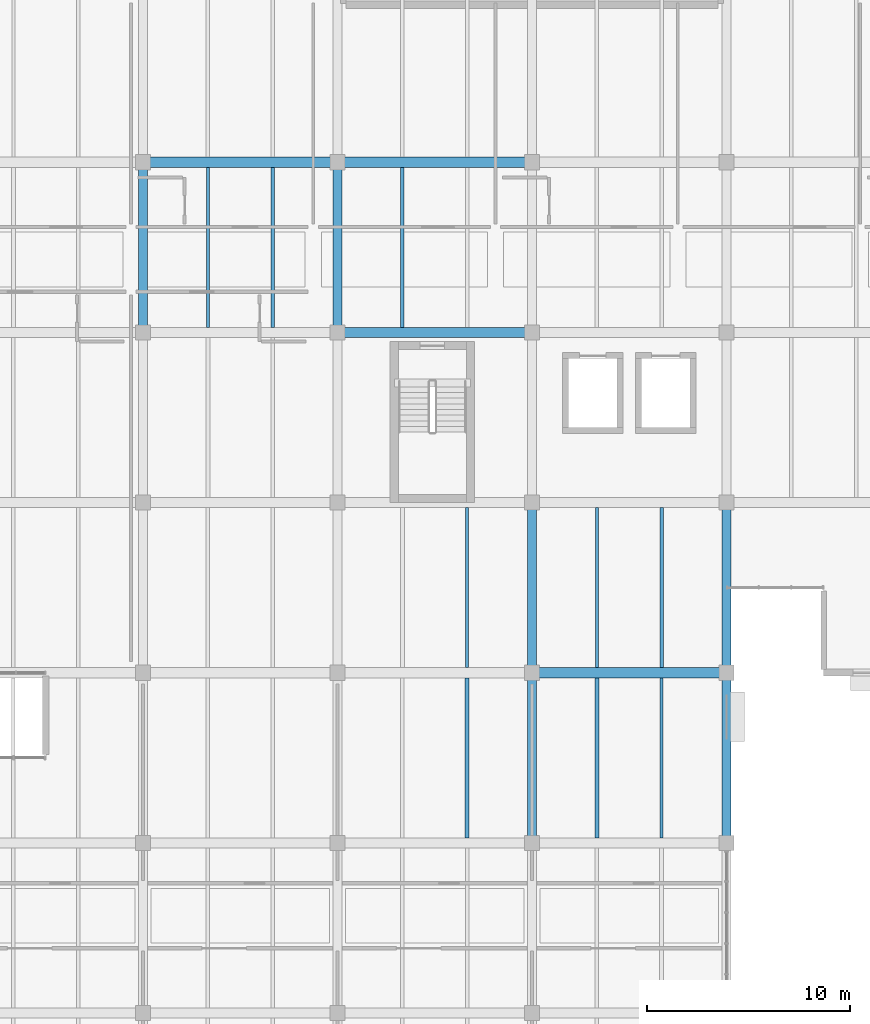
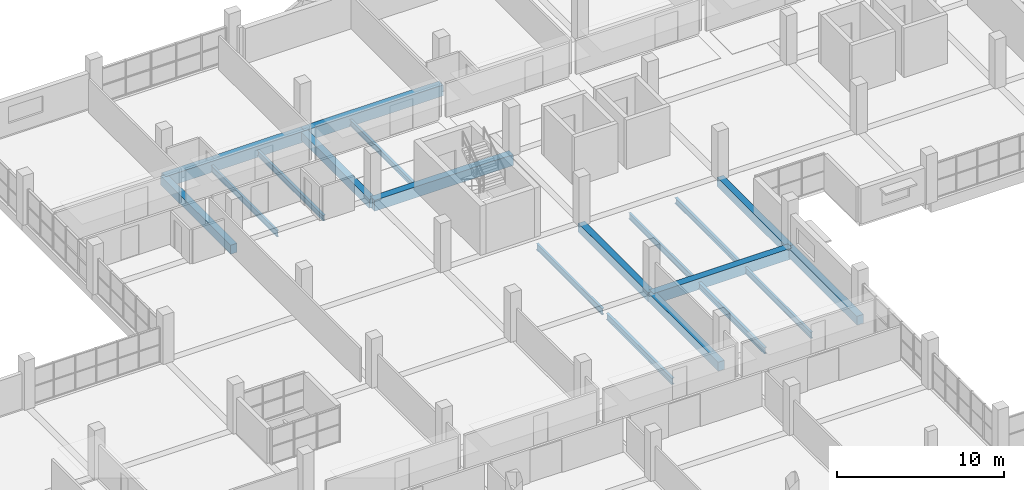
# One storey, part 79 of 147: 19 beams.
"""IFC4 building model written with IfcOpenShell, lengths in metres."""

from ifc_helpers import new_model, si_unit, direction, frame, origin, origin_2d, place, context, subcontext, project, spatial, rectangle, i_section, extrude, material, material_profile, profile_set, type_object, element, save


model = new_model("IFC4")

# Units and contexts
model_context = context("Model", 3, precision=1e-05, world=origin(), true_north=direction((0.0, 1.0)))
body_context = subcontext(model_context, "Body", "Model", "MODEL_VIEW")
ifc_project = project(units=[si_unit("LENGTHUNIT", "METRE"), si_unit("AREAUNIT", "SQUARE_METRE"), si_unit("VOLUMEUNIT", "CUBIC_METRE"), si_unit("PLANEANGLEUNIT", "RADIAN"), si_unit("MASSUNIT", "GRAM", prefix="KILO")], contexts=[model_context])

# Site, building, storey
site_placement = place(None, origin())
site = spatial("IfcSite", under=ifc_project, at=site_placement, CompositionType="ELEMENT")
building_placement = place(site_placement, origin())
building = spatial("IfcBuilding", under=site, at=building_placement, Name="Oolite Switchyard Hospital", CompositionType="ELEMENT")
storey_placement = place(building_placement, frame((0.0, 0.0, 9.89990234375)))
storey = spatial("IfcBuildingStorey", under=building, at=storey_placement, Name="L02", CompositionType="ELEMENT", Elevation=9.89990234375)

# Beams
ifc_material_1 = material(Name="Concrete C40/50", Category="concrete")
ifc_material_profile_1 = material_profile(ifc_material_1, rectangle(XDim=0.449951171875, YDim=0.64990234375, at=origin_2d()), Name="RCB450X650")
ifc_profile_set_1 = profile_set([ifc_material_profile_1], Name="Concrete C40/50")
beam_type_1 = type_object("IfcBeamType", Name="BM-RC450X650", PredefinedType="BEAM", material=ifc_profile_set_1)
for number, where, z_axis, x_axis, name in (
    (1, (144.0, 117.60009765625, -0.324951171875), (0.0, 1.0, 0.0), (-1.0, 0.0, 0.0), "L02 Y-Girder 1427"),
    (2, (153.60009765625, 117.60009765625, -0.324951171875), (0.0, 1.0, 0.0), (-1.0, 0.0, 0.0), "L02 Y-Girder 1440"),
):
    element("IfcBeam", number, at=place(storey_placement, frame(where, z_axis=z_axis, x_axis=x_axis)), inside=storey, type_object=beam_type_1, Name=name, PredefinedType="BEAM", context=body_context, shape_type="SweptSolid", body=[
        extrude(rectangle(XDim=0.449951171875, YDim=0.64990234375, at=origin_2d()), origin(), (0.0, 0.0, 1.0), 8.39990234375),
    ])
beam_1_placement = place(storey_placement, frame((163.199951171875, 92.39990234375, -0.324951171875), z_axis=(0.0, 1.0, 0.0), x_axis=(-1.0, 0.0, 0.0)))
element("IfcBeam", 3, at=beam_1_placement, inside=storey, type_object=beam_type_1, Name="L02 Y-Girder 1449", PredefinedType="BEAM", context=body_context, shape_type="SweptSolid", body=[
    extrude(rectangle(XDim=0.449951171875, YDim=0.64990234375, at=origin_2d()), origin(), (0.0, 0.0, 1.0), 8.400146484375),
])
beam_2_placement = place(storey_placement, frame((163.199951171875, 100.800048828125, -0.324951171875), z_axis=(0.0, 1.0, 0.0), x_axis=(-1.0, 0.0, 0.0)))
element("IfcBeam", 4, at=beam_2_placement, inside=storey, type_object=beam_type_1, Name="L02 Y-Girder 1450", PredefinedType="BEAM", context=body_context, shape_type="SweptSolid", body=[
    extrude(rectangle(XDim=0.449951171875, YDim=0.64990234375, at=origin_2d()), origin(), (0.0, 0.0, 1.0), 8.39990234375),
])
beam_3_placement = place(storey_placement, frame((172.800048828125, 92.39990234375, -0.324951171875), z_axis=(0.0, 1.0, 0.0), x_axis=(-1.0, 0.0, 0.0)))
element("IfcBeam", 5, at=beam_3_placement, inside=storey, type_object=beam_type_1, Name="L02 Y-Girder 1460", PredefinedType="BEAM", context=body_context, shape_type="SweptSolid", body=[
    extrude(rectangle(XDim=0.449951171875, YDim=0.64990234375, at=origin_2d()), origin(), (0.0, 0.0, 1.0), 8.400146484375),
])
beam_4_placement = place(storey_placement, frame((172.800048828125, 100.800048828125, -0.324951171875), z_axis=(0.0, 1.0, 0.0), x_axis=(-1.0, 0.0, 0.0)))
element("IfcBeam", 6, at=beam_4_placement, inside=storey, type_object=beam_type_1, Name="L02 Y-Girder 1461", PredefinedType="BEAM", context=body_context, shape_type="SweptSolid", body=[
    extrude(rectangle(XDim=0.449951171875, YDim=0.64990234375, at=origin_2d()), origin(), (0.0, 0.0, 1.0), 8.39990234375),
])
ifc_material_profile_2 = material_profile(ifc_material_1, rectangle(XDim=0.5, YDim=0.800048828125, at=origin_2d()), Name="RCB500X800")
ifc_profile_set_2 = profile_set([ifc_material_profile_2], Name="Concrete C40/50")
beam_type_2 = type_object("IfcBeamType", Name="BM-RC500X800", PredefinedType="BEAM", material=ifc_profile_set_2)
beam_5_placement = place(storey_placement, frame((163.199951171875, 100.800048828125, -0.39990234375), z_axis=(1.0, 0.0, 0.0), x_axis=(0.0, 1.0, 0.0)))
element("IfcBeam", 7, at=beam_5_placement, inside=storey, type_object=beam_type_2, Name="L02 X-Girder 1177", PredefinedType="BEAM", context=body_context, shape_type="SweptSolid", body=[
    extrude(rectangle(XDim=0.5, YDim=0.800048828125, at=origin_2d()), origin(), (0.0, 0.0, 1.0), 9.60009765625),
])
beam_6_placement = place(storey_placement, frame((153.60009765625, 117.60009765625, -0.39990234375), z_axis=(1.0, 0.0, 0.0), x_axis=(0.0, 1.0, 0.0)))
element("IfcBeam", 8, at=beam_6_placement, inside=storey, type_object=beam_type_2, Name="L02 X-Girder 1213", PredefinedType="BEAM", context=body_context, shape_type="SweptSolid", body=[
    extrude(rectangle(XDim=0.5, YDim=0.800048828125, at=origin_2d()), origin(), (0.0, 0.0, 1.0), 9.599853515625),
])
beam_7_placement = place(storey_placement, frame((144.0, 126.0, -0.39990234375), z_axis=(1.0, 0.0, 0.0), x_axis=(0.0, 1.0, 0.0)))
element("IfcBeam", 9, at=beam_7_placement, inside=storey, type_object=beam_type_2, Name="L02 X-Girder 1228", PredefinedType="BEAM", context=body_context, shape_type="SweptSolid", body=[
    extrude(rectangle(XDim=0.5, YDim=0.800048828125, at=origin_2d()), origin(), (0.0, 0.0, 1.0), 9.60009765625),
])
beam_8_placement = place(storey_placement, frame((153.60009765625, 126.0, -0.39990234375), z_axis=(1.0, 0.0, 0.0), x_axis=(0.0, 1.0, 0.0)))
element("IfcBeam", 10, at=beam_8_placement, inside=storey, type_object=beam_type_2, Name="L02 X-Girder 1229", PredefinedType="BEAM", context=body_context, shape_type="SweptSolid", body=[
    extrude(rectangle(XDim=0.5, YDim=0.800048828125, at=origin_2d()), origin(), (0.0, 0.0, 1.0), 9.599853515625),
])
ifc_material_2 = material(Name="Steel ASTM A992 Grade 50", Category="steel")
ifc_material_profile_3 = material_profile(ifc_material_2, i_section(OverallWidth=0.179931640625, OverallDepth=0.4130859375, WebThickness=0.010009765625, FlangeThickness=0.01611328125, at=origin_2d()), Name="W16X50")
ifc_profile_set_3 = profile_set([ifc_material_profile_3], Name="Steel ASTM A992 Grade 50")
beam_type_3 = type_object("IfcBeamType", Name="BM-W16X50", PredefinedType="JOIST", material=ifc_profile_set_3)
for number, where, z_axis, x_axis, name in (
    (11, (150.39990234375, 117.85009765625, -0.4658203125), (0.0, 1.0, 0.0), (-1.0, 0.0, 0.0), "L02 Secondary Steel Joist 1809"),
    (12, (156.800048828125, 117.85009765625, -0.4658203125), (0.0, 1.0, 0.0), (-1.0, 0.0, 0.0), "L02 Secondary Steel Joist 1828"),
    (13, (169.60009765625, 101.050048828125, -0.4658203125), (0.0, 1.0, 0.0), (-1.0, 0.0, 0.0), "L02 Secondary Steel Joist 1847"),
):
    element("IfcBeam", number, at=place(storey_placement, frame(where, z_axis=z_axis, x_axis=x_axis)), inside=storey, type_object=beam_type_3, Name=name, PredefinedType="JOIST", context=body_context, shape_type="SweptSolid", body=[
        extrude(i_section(OverallWidth=0.179931640625, OverallDepth=0.4130859375, WebThickness=0.010009765625, FlangeThickness=0.01611328125, at=origin_2d()), origin(), (0.0, 0.0, 1.0), 7.89990234375),
    ])
ifc_material_profile_4 = material_profile(ifc_material_2, i_section(OverallWidth=0.153076171875, OverallDepth=0.455078125, WebThickness=0.008056640625, FlangeThickness=0.012939453125, at=origin_2d()), Name="W18X40")
ifc_profile_set_4 = profile_set([ifc_material_profile_4], Name="Steel ASTM A992 Grade 50")
beam_type_4 = type_object("IfcBeamType", Name="BM-W18X40", PredefinedType="JOIST", material=ifc_profile_set_4)
for number, where, z_axis, x_axis, name in (
    (14, (147.199951171875, 117.85009765625, -0.48681640625), (0.0, 1.0, 0.0), (-1.0, 0.0, 0.0), "L02 Secondary Steel Joist 1808"),
    (15, (160.0, 101.050048828125, -0.48681640625), (0.0, 1.0, 0.0), (-1.0, 0.0, 0.0), "L02 Secondary Steel Joist 1827"),
):
    element("IfcBeam", number, at=place(storey_placement, frame(where, z_axis=z_axis, x_axis=x_axis)), inside=storey, type_object=beam_type_4, Name=name, PredefinedType="JOIST", context=body_context, shape_type="SweptSolid", body=[
        extrude(i_section(OverallWidth=0.153076171875, OverallDepth=0.455078125, WebThickness=0.008056640625, FlangeThickness=0.012939453125, at=origin_2d()), origin(), (0.0, 0.0, 1.0), 7.89990234375),
    ])
beam_9_placement = place(storey_placement, frame((169.60009765625, 92.64990234375, -0.48681640625), z_axis=(0.0, 1.0, 0.0), x_axis=(-1.0, 0.0, 0.0)))
element("IfcBeam", 16, at=beam_9_placement, inside=storey, type_object=beam_type_4, Name="L02 Secondary Steel Joist 1845", PredefinedType="JOIST", context=body_context, shape_type="SweptSolid", body=[
    extrude(i_section(OverallWidth=0.153076171875, OverallDepth=0.455078125, WebThickness=0.008056640625, FlangeThickness=0.012939453125, at=origin_2d()), origin(), (0.0, 0.0, 1.0), 7.900146484375),
])
beam_10_placement = place(storey_placement, frame((166.39990234375, 101.050048828125, -0.48681640625), z_axis=(0.0, 1.0, 0.0), x_axis=(-1.0, 0.0, 0.0)))
element("IfcBeam", 17, at=beam_10_placement, inside=storey, type_object=beam_type_4, Name="L02 Secondary Steel Joist 1846", PredefinedType="JOIST", context=body_context, shape_type="SweptSolid", body=[
    extrude(i_section(OverallWidth=0.153076171875, OverallDepth=0.455078125, WebThickness=0.008056640625, FlangeThickness=0.012939453125, at=origin_2d()), origin(), (0.0, 0.0, 1.0), 7.89990234375),
])
ifc_material_profile_5 = material_profile(ifc_material_2, i_section(OverallWidth=0.19091796875, OverallDepth=0.4599609375, WebThickness=0.010009765625, FlangeThickness=0.01611328125, at=origin_2d()), Name="W18X55")
ifc_profile_set_5 = profile_set([ifc_material_profile_5], Name="Steel ASTM A992 Grade 50")
beam_type_5 = type_object("IfcBeamType", Name="BM-W18X55", PredefinedType="JOIST", material=ifc_profile_set_5)
for number, where, z_axis, x_axis, name in (
    (18, (160.0, 92.64990234375, -0.489990234375), (0.0, 1.0, 0.0), (-1.0, 0.0, 0.0), "L02 Secondary Steel Joist 1825"),
    (19, (166.39990234375, 92.64990234375, -0.489990234375), (0.0, 1.0, 0.0), (-1.0, 0.0, 0.0), "L02 Secondary Steel Joist 1844"),
):
    element("IfcBeam", number, at=place(storey_placement, frame(where, z_axis=z_axis, x_axis=x_axis)), inside=storey, type_object=beam_type_5, Name=name, PredefinedType="JOIST", context=body_context, shape_type="SweptSolid", body=[
        extrude(i_section(OverallWidth=0.19091796875, OverallDepth=0.4599609375, WebThickness=0.010009765625, FlangeThickness=0.01611328125, at=origin_2d()), origin(), (0.0, 0.0, 1.0), 7.900146484375),
    ])

save(model, "model.ifc")
